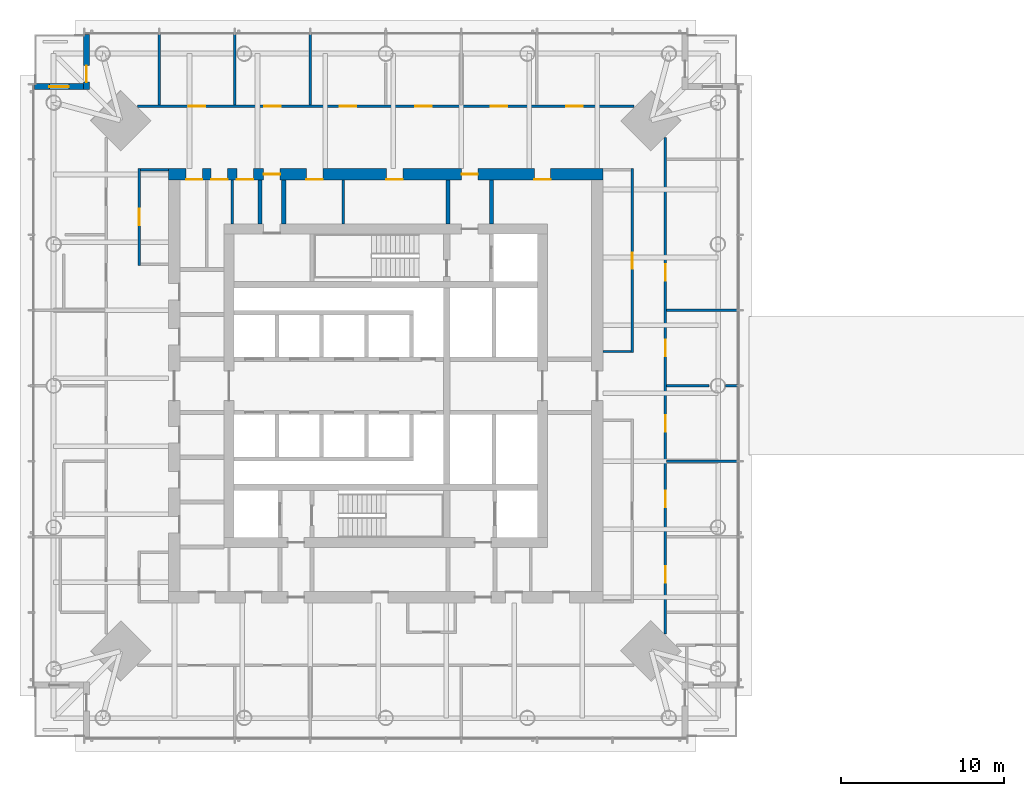
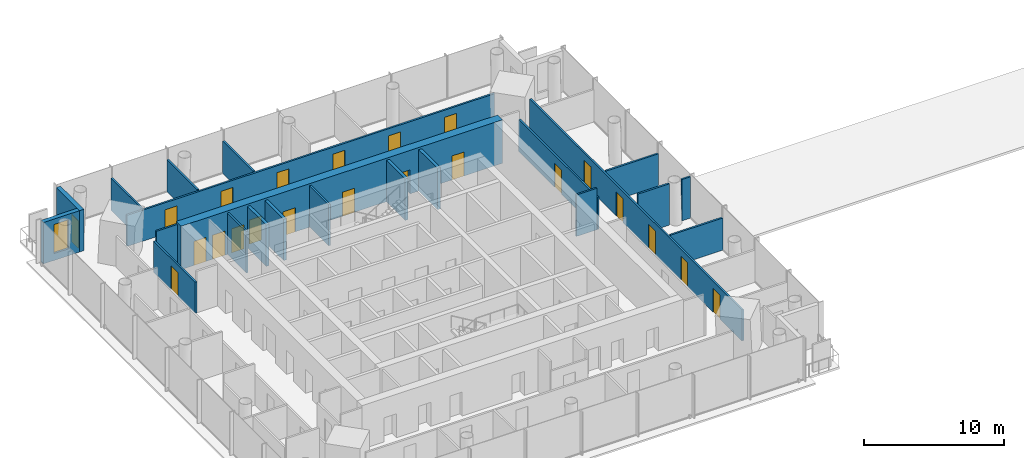
# One storey, part 8 of 16: 22 doors, 22 walls, 1 window, 23 openings.
"""IFC4 building model written with IfcOpenShell, lengths in metres."""

from ifc_helpers import new_model, si_unit, direction, frame, frame_2d, origin, place, context, subcontext, project, spatial, rectangle, extrude, material, layer, layer_set, type_object, element, fill, save


model = new_model("IFC4")

# Units and contexts
model_context = context("Model", 3, precision=1e-05, world=origin(), true_north=direction((0.0, 1.0)))
body_context = subcontext(model_context, "Body", "Model", "MODEL_VIEW")
ifc_project = project(units=[si_unit("LENGTHUNIT", "METRE"), si_unit("AREAUNIT", "SQUARE_METRE"), si_unit("VOLUMEUNIT", "CUBIC_METRE"), si_unit("PLANEANGLEUNIT", "RADIAN"), si_unit("MASSUNIT", "GRAM", prefix="KILO")], contexts=[model_context])

# Site, building, storey
site_placement = place(None, origin())
site = spatial("IfcSite", under=ifc_project, at=site_placement, CompositionType="ELEMENT")
building_placement = place(site_placement, origin())
building = spatial("IfcBuilding", under=site, at=building_placement, Name="Ostroluk Exchange", CompositionType="ELEMENT")
storey_placement = place(building_placement, frame((0.0, 0.0, 135.0)))
storey = spatial("IfcBuildingStorey", under=building, at=storey_placement, Name="L34", CompositionType="ELEMENT", Elevation=135.0)

# Walls
ifc_material_1 = material(Name="Concrete blockwork", Category="masonry")
ifc_layer_1 = layer(ifc_material_1, 0.14990234375)
ifc_layer_set_1 = layer_set([ifc_layer_1], Name="Blockwork plant room wall 150")
wall_type_1 = type_object("IfcWallType", Name="Blockwork plant room wall 150", PredefinedType="SOLIDWALL", material=ifc_layer_set_1)
for number, where, z_axis, x_axis, name in (
    (1, (35.599365234375, 55.89990234375, 0.0), (0.0, 0.0, 1.0), (0.0, 1.0, 0.0), "Core room wall"),
    (2, (42.40478515625, 55.89990234375, 0.0), (0.0, 0.0, 1.0), (0.0, 1.0, 0.0), "Core room wall"),
):
    element("IfcWall", number, at=place(storey_placement, frame(where, z_axis=z_axis, x_axis=x_axis)), inside=storey, type_object=wall_type_1, Name=name, PredefinedType="SOLIDWALL", context=body_context, shape_type="SweptSolid", body=[
        extrude(rectangle(XDim=2.7001953125, YDim=0.14990234375, at=frame_2d((1.35009765625, 0.0))), origin(), (0.0, 0.0, 1.0), 3.6201171875),
    ])
ifc_material_2 = material(Name="Concrete blockwork", Category="masonry")
ifc_layer_2 = layer(ifc_material_2, 0.25)
ifc_layer_set_2 = layer_set([ifc_layer_2], Name="Blockwork stair enclosure wall 250")
wall_type_2 = type_object("IfcWallType", Name="Blockwork stair enclosure wall 250", PredefinedType="SOLIDWALL", material=ifc_layer_set_2)
for number, where, z_axis, x_axis, name in (
    (3, (48.804931640625, 55.89990234375, 0.0), (0.0, 0.0, 1.0), (0.0, 1.0, 0.0), "Fire lobby enclosure wall"),
    (4, (51.47509765625, 55.89990234375, 0.0), (0.0, 0.0, 1.0), (0.0, 1.0, 0.0), "Fire lobby enclosure wall"),
    (5, (37.300048828125, 55.89990234375, 0.0), (0.0, 0.0, 1.0), (0.0, 1.0, 0.0), "Core corridor wall"),
    (6, (38.75, 55.89990234375, 0.0), (0.0, 0.0, 1.0), (0.0, 1.0, 0.0), "Core corridor wall"),
):
    element("IfcWall", number, at=place(storey_placement, frame(where, z_axis=z_axis, x_axis=x_axis)), inside=storey, type_object=wall_type_2, Name=name, PredefinedType="SOLIDWALL", context=body_context, shape_type="SweptSolid", body=[
        extrude(rectangle(XDim=2.7001953125, YDim=0.25, at=frame_2d((1.35009765625, 0.0))), origin(), (0.0, 0.0, 1.0), 3.6201171875),
    ])

# Wall, openings, doors
ifc_material_3 = material(Name="Concrete C50/60", Category="concrete")
ifc_layer_3 = layer(ifc_material_3, 0.699951171875)
ifc_layer_set_3 = layer_set([ifc_layer_3], Name="Core wall 700 C50/60")
wall_type_3 = type_object("IfcWallType", Name="Core wall 700 C50/60", PredefinedType="SHEAR", material=ifc_layer_set_3)
wall_1_placement = place(storey_placement, frame((31.699951171875, 58.949951171875, 0.0), z_axis=(0.0, 0.0, 1.0), x_axis=(1.0, 0.0, 0.0)))
wall_1 = element("IfcWall", 7, at=wall_1_placement, inside=storey, type_object=wall_type_3, Name="T1 core wall RN", PredefinedType="SHEAR", context=body_context, shape_type="SweptSolid", body=[
    extrude(rectangle(XDim=26.60009765625, YDim=0.699951171875, at=frame_2d((13.300048828125, 0.0))), origin(), (0.0, 0.0, 1.0), 3.800048828125),
])
opening_1_placement = place(wall_1_placement, frame((17.93994140625, 0.0, 0.0)))
opening_1 = element("IfcOpeningElement", 8, at=opening_1_placement, cuts=wall_1, Name="Opening FD60", PredefinedType="OPENING", context=body_context, shape_type="SweptSolid", body=[
    extrude(rectangle(XDim=1.0, YDim=2.10009765625, at=frame_2d((0.5, 1.050048828125))), frame((0.0, 0.35986328125, 0.0), z_axis=(0.0, -1.0, 0.0), x_axis=(1.0, 0.0, 0.0)), (0.0, 0.0, 1.0), 0.719970703125),
])
opening_2_placement = place(wall_1_placement, frame((5.824951171875, 0.0, 0.0)))
opening_2 = element("IfcOpeningElement", 9, at=opening_2_placement, cuts=wall_1, Name="Opening FD60", PredefinedType="OPENING", context=body_context, shape_type="SweptSolid", body=[
    extrude(rectangle(XDim=1.0, YDim=2.10009765625, at=frame_2d((0.5, 1.050048828125))), frame((0.0, 0.35986328125, 0.0), z_axis=(0.0, -1.0, 0.0), x_axis=(1.0, 0.0, 0.0)), (0.0, 0.0, 1.0), 0.719970703125),
])
opening_3_placement = place(wall_1_placement, frame((1.073486328125, 0.0, 0.0)))
opening_3 = element("IfcOpeningElement", 10, at=opening_3_placement, cuts=wall_1, Name="Opening FD60", PredefinedType="OPENING", context=body_context, shape_type="SweptSolid", body=[
    extrude(rectangle(XDim=1.0, YDim=2.10009765625, at=frame_2d((0.5, 1.050048828125))), frame((0.0, 0.35986328125, 0.0), z_axis=(0.0, -1.0, 0.0), x_axis=(1.0, 0.0, 0.0)), (0.0, 0.0, 1.0), 0.719970703125),
])
opening_4_placement = place(wall_1_placement, frame((2.611328125, 0.0, 0.0)))
opening_4 = element("IfcOpeningElement", 11, at=opening_4_placement, cuts=wall_1, Name="Opening FD60", PredefinedType="OPENING", context=body_context, shape_type="SweptSolid", body=[
    extrude(rectangle(XDim=1.0, YDim=2.10009765625, at=frame_2d((0.5, 1.050048828125))), frame((0.0, 0.35986328125, 0.0), z_axis=(0.0, -1.0, 0.0), x_axis=(1.0, 0.0, 0.0)), (0.0, 0.0, 1.0), 0.719970703125),
])
opening_5_placement = place(wall_1_placement, frame((4.18701171875, 0.0, 0.0)))
opening_5 = element("IfcOpeningElement", 12, at=opening_5_placement, cuts=wall_1, Name="Opening FD60", PredefinedType="OPENING", context=body_context, shape_type="SweptSolid", body=[
    extrude(rectangle(XDim=1.0, YDim=2.10009765625, at=frame_2d((0.5, 1.050048828125))), frame((0.0, 0.35986328125, 0.0), z_axis=(0.0, -1.0, 0.0), x_axis=(1.0, 0.0, 0.0)), (0.0, 0.0, 1.0), 0.719970703125),
])
opening_6_placement = place(wall_1_placement, frame((8.43994140625, 0.0, 0.0)))
opening_6 = element("IfcOpeningElement", 13, at=opening_6_placement, cuts=wall_1, Name="Opening FD60", PredefinedType="OPENING", context=body_context, shape_type="SweptSolid", body=[
    extrude(rectangle(XDim=1.0, YDim=2.10009765625, at=frame_2d((0.5, 1.050048828125))), frame((0.0, 0.35986328125, 0.0), z_axis=(0.0, -1.0, 0.0), x_axis=(1.0, 0.0, 0.0)), (0.0, 0.0, 1.0), 0.719970703125),
])
opening_7_placement = place(wall_1_placement, frame((13.34228515625, 0.0, 0.0)))
opening_7 = element("IfcOpeningElement", 14, at=opening_7_placement, cuts=wall_1, Name="Opening FD60", PredefinedType="OPENING", context=body_context, shape_type="SweptSolid", body=[
    extrude(rectangle(XDim=1.0, YDim=2.10009765625, at=frame_2d((0.5, 1.050048828125))), frame((0.0, 0.35986328125, 0.0), z_axis=(0.0, -1.0, 0.0), x_axis=(1.0, 0.0, 0.0)), (0.0, 0.0, 1.0), 0.719970703125),
])
opening_8_placement = place(wall_1_placement, frame((22.39990234375, 0.0, 0.0)))
opening_8 = element("IfcOpeningElement", 15, at=opening_8_placement, cuts=wall_1, Name="Opening FD60", PredefinedType="OPENING", context=body_context, shape_type="SweptSolid", body=[
    extrude(rectangle(XDim=1.0, YDim=2.10009765625, at=frame_2d((0.5, 1.050048828125))), frame((0.0, 0.35986328125, 0.0), z_axis=(0.0, -1.0, 0.0), x_axis=(1.0, 0.0, 0.0)), (0.0, 0.0, 1.0), 0.719970703125),
])
ifc_material_4 = material(Name="Steel", Category="steel")
door_type_1 = type_object("IfcDoorType", Name="Fire door EI 60 1000 x 2100", OperationType="SINGLE_SWING_LEFT", PredefinedType="DOOR", material=ifc_material_4)
door_1_placement = place(opening_1_placement, origin())
door_1 = element("IfcDoor", 16, at=door_1_placement, inside=storey, type_object=door_type_1, Name="Firefighting lobby door", OperationType="SINGLE_SWING_RIGHT", OverallHeight=2.10009765625, OverallWidth=1.0, PredefinedType="DOOR", context=body_context, shape_type="SweptSolid", body=[
    extrude(rectangle(XDim=1.0, YDim=2.10009765625, at=frame_2d((0.5, 1.050048828125))), frame((0.0, 0.02490234375, 0.0), z_axis=(0.0, -1.0, 0.0), x_axis=(1.0, 0.0, 0.0)), (0.0, 0.0, 1.0), 0.050048828125),
])
fill(opening_1, door_1)
door_2_placement = place(opening_2_placement, origin())
door_2 = element("IfcDoor", 17, at=door_2_placement, inside=storey, type_object=door_type_1, Name="Core corridor door", OperationType="SINGLE_SWING_LEFT", OverallHeight=2.10009765625, OverallWidth=1.0, PredefinedType="DOOR", context=body_context, shape_type="SweptSolid", body=[
    extrude(rectangle(XDim=1.0, YDim=2.10009765625, at=frame_2d((0.5, 1.050048828125))), frame((0.0, 0.02490234375, 0.0), z_axis=(0.0, -1.0, 0.0), x_axis=(1.0, 0.0, 0.0)), (0.0, 0.0, 1.0), 0.050048828125),
])
fill(opening_2, door_2)
door_3_placement = place(opening_3_placement, origin())
door_3 = element("IfcDoor", 18, at=door_3_placement, inside=storey, type_object=door_type_1, Name="Tenant IT room door", OperationType="SINGLE_SWING_LEFT", OverallHeight=2.10009765625, OverallWidth=1.0, PredefinedType="DOOR", context=body_context, shape_type="SweptSolid", body=[
    extrude(rectangle(XDim=1.0, YDim=2.10009765625, at=frame_2d((0.5, 1.050048828125))), frame((0.0, -0.2900390625, 0.0), z_axis=(0.0, -1.0, 0.0), x_axis=(1.0, 0.0, 0.0)), (0.0, 0.0, 1.0), 0.050048828125),
])
fill(opening_3, door_3)
door_4_placement = place(opening_4_placement, origin())
door_4 = element("IfcDoor", 19, at=door_4_placement, inside=storey, type_object=door_type_1, Name="First aid room door", OperationType="SINGLE_SWING_LEFT", OverallHeight=2.10009765625, OverallWidth=1.0, PredefinedType="DOOR", context=body_context, shape_type="SweptSolid", body=[
    extrude(rectangle(XDim=1.0, YDim=2.10009765625, at=frame_2d((0.5, 1.050048828125))), frame((0.0, -0.2900390625, 0.0), z_axis=(0.0, -1.0, 0.0), x_axis=(1.0, 0.0, 0.0)), (0.0, 0.0, 1.0), 0.050048828125),
])
fill(opening_4, door_4)
door_5_placement = place(opening_5_placement, origin())
door_5 = element("IfcDoor", 20, at=door_5_placement, inside=storey, type_object=door_type_1, Name="Store door", OperationType="SINGLE_SWING_LEFT", OverallHeight=2.10009765625, OverallWidth=1.0, PredefinedType="DOOR", context=body_context, shape_type="SweptSolid", body=[
    extrude(rectangle(XDim=1.0, YDim=2.10009765625, at=frame_2d((0.5, 1.050048828125))), frame((0.0, -0.2900390625, 0.0), z_axis=(0.0, -1.0, 0.0), x_axis=(1.0, 0.0, 0.0)), (0.0, 0.0, 1.0), 0.050048828125),
])
fill(opening_5, door_5)
door_6_placement = place(opening_6_placement, origin())
door_6 = element("IfcDoor", 21, at=door_6_placement, inside=storey, type_object=door_type_1, Name="Print and post room door", OperationType="SINGLE_SWING_LEFT", OverallHeight=2.10009765625, OverallWidth=1.0, PredefinedType="DOOR", context=body_context, shape_type="SweptSolid", body=[
    extrude(rectangle(XDim=1.0, YDim=2.10009765625, at=frame_2d((0.5, 1.050048828125))), frame((0.0, -0.2900390625, 0.0), z_axis=(0.0, -1.0, 0.0), x_axis=(1.0, 0.0, 0.0)), (0.0, 0.0, 1.0), 0.050048828125),
])
fill(opening_6, door_6)
door_7_placement = place(opening_7_placement, origin())
door_7 = element("IfcDoor", 22, at=door_7_placement, inside=storey, type_object=door_type_1, Name="Archive door", OperationType="SINGLE_SWING_RIGHT", OverallHeight=2.10009765625, OverallWidth=1.0, PredefinedType="DOOR", context=body_context, shape_type="SweptSolid", body=[
    extrude(rectangle(XDim=1.0, YDim=2.10009765625, at=frame_2d((0.5, 1.050048828125))), frame((0.0, -0.2900390625, 0.0), z_axis=(0.0, -1.0, 0.0), x_axis=(1.0, 0.0, 0.0)), (0.0, 0.0, 1.0), 0.050048828125),
])
fill(opening_7, door_7)
door_8_placement = place(opening_8_placement, origin())
door_8 = element("IfcDoor", 23, at=door_8_placement, inside=storey, type_object=door_type_1, Name="First aid room door", OperationType="SINGLE_SWING_RIGHT", OverallHeight=2.10009765625, OverallWidth=1.0, PredefinedType="DOOR", context=body_context, shape_type="SweptSolid", body=[
    extrude(rectangle(XDim=1.0, YDim=2.10009765625, at=frame_2d((0.5, 1.050048828125))), frame((0.0, -0.2900390625, 0.0), z_axis=(0.0, -1.0, 0.0), x_axis=(1.0, 0.0, 0.0)), (0.0, 0.0, 1.0), 0.050048828125),
])
fill(opening_8, door_8)

# Wall, opening, door
ifc_material_5 = material(Name="Limestone", Category="masonry")
ifc_layer_4 = layer(ifc_material_5, 0.35009765625)
ifc_layer_set_4 = layer_set([ifc_layer_4], Name="Limestone facade wall 350")
wall_type_4 = type_object("IfcWallType", Name="Limestone facade wall 350", PredefinedType="SOLIDWALL", material=ifc_layer_set_4)
wall_2_placement = place(storey_placement, frame((26.675048828125, 67.5, 0.0), z_axis=(0.0, 0.0, 1.0), x_axis=(0.0, -1.0, 0.0)))
wall_2 = element("IfcWall", 24, at=wall_2_placement, inside=storey, type_object=wall_type_4, Name="Office tower NW corner wall L34 a", PredefinedType="SOLIDWALL", context=body_context, shape_type="SweptSolid", body=[
    extrude(rectangle(XDim=3.35009765625, YDim=0.35009765625, at=frame_2d((1.675048828125, 0.0))), origin(), (0.0, 0.0, 1.0), 3.6201171875),
])
opening_9_placement = place(wall_2_placement, frame((1.89990234375, 0.0, 0.0)))
opening_9 = element("IfcOpeningElement", 25, at=opening_9_placement, cuts=wall_2, Name="Opening D-B1", PredefinedType="OPENING", context=body_context, shape_type="SweptSolid", body=[
    extrude(rectangle(XDim=1.0, YDim=2.39990234375, at=frame_2d((0.5, 1.199951171875))), frame((0.0, 0.18505859375, 0.0), z_axis=(0.0, -1.0, 0.0), x_axis=(1.0, 0.0, 0.0)), (0.0, 0.0, 1.0), 0.3701171875),
])
ifc_material_6 = material(Name="Bronze framed glazed door", Category="aluminium")
door_type_2 = type_object("IfcDoorType", Name="Balcony door 1000 x 2400", OperationType="SINGLE_SWING_LEFT", PredefinedType="DOOR", material=ifc_material_6)
door_9_placement = place(opening_9_placement, origin())
door_9 = element("IfcDoor", 26, at=door_9_placement, inside=storey, type_object=door_type_2, Name="Office tower NW balcony door L34", OperationType="SINGLE_SWING_RIGHT", OverallHeight=2.39990234375, OverallWidth=1.0, PredefinedType="DOOR", context=body_context, shape_type="SweptSolid", body=[
    extrude(rectangle(XDim=1.0, YDim=2.39990234375, at=frame_2d((0.5, 1.199951171875))), frame((0.0, 0.02490234375, 0.0), z_axis=(0.0, -1.0, 0.0), x_axis=(1.0, 0.0, 0.0)), (0.0, 0.0, 1.0), 0.050048828125),
])
fill(opening_9, door_9)

# Wall, opening, window
wall_3_placement = place(storey_placement, frame((26.5, 64.324951171875, 0.0), z_axis=(0.0, 0.0, 1.0), x_axis=(-1.0, 0.0, 0.0)))
wall_3 = element("IfcWall", 27, at=wall_3_placement, inside=storey, type_object=wall_type_4, Name="Office tower NW corner wall L34 b", PredefinedType="SOLIDWALL", context=body_context, shape_type="SweptSolid", body=[
    extrude(rectangle(XDim=3.0, YDim=0.35009765625, at=frame_2d((1.5, 0.0))), origin(), (0.0, 0.0, 1.0), 3.6201171875),
])
opening_10_placement = place(wall_3_placement, frame((0.89990234375, 0.0, 0.60009765625)))
opening_10 = element("IfcOpeningElement", 28, at=opening_10_placement, cuts=wall_3, Name="Opening WN-L1", PredefinedType="OPENING", context=body_context, shape_type="SweptSolid", body=[
    extrude(rectangle(XDim=1.199951171875, YDim=2.550048828125, at=frame_2d((0.60009765625, 1.27490234375))), frame((0.0, 0.18505859375, 0.0), z_axis=(0.0, -1.0, 0.0), x_axis=(1.0, 0.0, 0.0)), (0.0, 0.0, 1.0), 0.3701171875),
])
ifc_material_7 = material(Name="Laminated clear glass", Category="glass")
window_type = type_object("IfcWindowType", Name="Lancet window 1200 x 2550", PartitioningType="SINGLE_PANEL", PredefinedType="WINDOW", material=ifc_material_7)
window_placement = place(opening_10_placement, origin())
window = element("IfcWindow", 29, at=window_placement, inside=storey, type_object=window_type, Name="Office tower NW lancet window L34", OverallHeight=2.550048828125, OverallWidth=1.199951171875, PartitioningType="SINGLE_PANEL", PredefinedType="WINDOW", context=body_context, shape_type="SweptSolid", body=[
    extrude(rectangle(XDim=1.199951171875, YDim=2.550048828125, at=frame_2d((0.60009765625, 1.27490234375))), frame((0.0, 0.030029296875, 0.0), z_axis=(0.0, -1.0, 0.0), x_axis=(1.0, 0.0, 0.0)), (0.0, 0.0, 1.0), 0.06005859375),
])
fill(opening_10, window)

# Wall, opening, door
ifc_material_8 = material(Name="Gypsum plasterboard partition", Category="gypsum")
ifc_layer_5 = layer(ifc_material_8, 0.14990234375)
ifc_layer_set_5 = layer_set([ifc_layer_5], Name="Plasterboard partition 150")
wall_type_5 = type_object("IfcWallType", Name="Plasterboard partition 150", PredefinedType="PARTITIONING", material=ifc_layer_set_5)
wall_4_placement = place(storey_placement, frame((60.10009765625, 48.02490234375, 0.0), z_axis=(0.0, 0.0, 1.0), x_axis=(0.0, 1.0, 0.0)))
wall_4 = element("IfcWall", 30, at=wall_4_placement, inside=storey, type_object=wall_type_5, Name="Partition", PredefinedType="PARTITIONING", context=body_context, shape_type="SweptSolid", body=[
    extrude(rectangle(XDim=11.275146484375, YDim=0.14990234375, at=frame_2d((5.6376953125, 0.0))), origin(), (0.0, 0.0, 1.0), 2.805908203125),
])
opening_11_placement = place(wall_4_placement, frame((5.137451171875, 0.0, 0.0)))
opening_11 = element("IfcOpeningElement", 31, at=opening_11_placement, cuts=wall_4, Name="Opening D-03", PredefinedType="OPENING", context=body_context, shape_type="SweptSolid", body=[
    extrude(rectangle(XDim=1.0, YDim=2.10009765625, at=frame_2d((0.5, 1.050048828125))), frame((0.0, 0.0849609375, 0.0), z_axis=(0.0, -1.0, 0.0), x_axis=(1.0, 0.0, 0.0)), (0.0, 0.0, 1.0), 0.169921875),
])
ifc_material_9 = material(Name="Timber", Category="wood")
door_type_3 = type_object("IfcDoorType", Name="Internal door 1000 x 2100", OperationType="SINGLE_SWING_LEFT", PredefinedType="DOOR", material=ifc_material_9)
door_10_placement = place(opening_11_placement, origin())
door_10 = element("IfcDoor", 32, at=door_10_placement, inside=storey, type_object=door_type_3, Name="Interview room door", OperationType="SINGLE_SWING_RIGHT", OverallHeight=2.10009765625, OverallWidth=1.0, PredefinedType="DOOR", context=body_context, shape_type="SweptSolid", body=[
    extrude(rectangle(XDim=1.0, YDim=2.10009765625, at=frame_2d((0.5, 1.050048828125))), frame((0.0, 0.02490234375, 0.0), z_axis=(0.0, -1.0, 0.0), x_axis=(1.0, 0.0, 0.0)), (0.0, 0.0, 1.0), 0.050048828125),
])
fill(opening_11, door_10)

# Wall
wall_5_placement = place(storey_placement, frame((58.300048828125, 48.10009765625, 0.0), z_axis=(0.0, 0.0, 1.0), x_axis=(1.0, 0.0, 0.0)))
element("IfcWall", 33, at=wall_5_placement, inside=storey, type_object=wall_type_5, Name="Partition", PredefinedType="PARTITIONING", context=body_context, shape_type="SweptSolid", body=[
    extrude(rectangle(XDim=1.724853515625, YDim=0.14990234375, at=frame_2d((0.8623046875, 0.0))), origin(), (0.0, 0.0, 1.0), 3.6201171875),
])

# Wall, opening, door
wall_6_placement = place(storey_placement, frame((29.89990234375, 59.300048828125, 0.0), z_axis=(0.0, 0.0, 1.0), x_axis=(0.0, -1.0, 0.0)))
wall_6 = element("IfcWall", 34, at=wall_6_placement, inside=storey, type_object=wall_type_5, Name="Partition", PredefinedType="PARTITIONING", context=body_context, shape_type="SweptSolid", body=[
    extrude(rectangle(XDim=5.925048828125, YDim=0.14990234375, at=frame_2d((2.96240234375, 0.0))), origin(), (0.0, 0.0, 1.0), 2.719970703125),
])
opening_12_placement = place(wall_6_placement, frame((2.46240234375, 0.0, 0.0)))
opening_12 = element("IfcOpeningElement", 35, at=opening_12_placement, cuts=wall_6, Name="Opening D-03", PredefinedType="OPENING", context=body_context, shape_type="SweptSolid", body=[
    extrude(rectangle(XDim=1.0, YDim=2.10009765625, at=frame_2d((0.5, 1.050048828125))), frame((0.0, 0.0849609375, 0.0), z_axis=(0.0, -1.0, 0.0), x_axis=(1.0, 0.0, 0.0)), (0.0, 0.0, 1.0), 0.169921875),
])
door_11_placement = place(opening_12_placement, origin())
door_11 = element("IfcDoor", 36, at=door_11_placement, inside=storey, type_object=door_type_3, Name="Interview room door", OperationType="SINGLE_SWING_RIGHT", OverallHeight=2.10009765625, OverallWidth=1.0, PredefinedType="DOOR", context=body_context, shape_type="SweptSolid", body=[
    extrude(rectangle(XDim=1.0, YDim=2.10009765625, at=frame_2d((0.5, 1.050048828125))), frame((0.0, 0.02490234375, 0.0), z_axis=(0.0, -1.0, 0.0), x_axis=(1.0, 0.0, 0.0)), (0.0, 0.0, 1.0), 0.050048828125),
])
fill(opening_12, door_11)

# Wall
wall_7_placement = place(storey_placement, frame((31.699951171875, 59.22509765625, 0.0), z_axis=(0.0, 0.0, 1.0), x_axis=(-1.0, 0.0, 0.0)))
element("IfcWall", 37, at=wall_7_placement, inside=storey, type_object=wall_type_5, Name="Partition", PredefinedType="PARTITIONING", context=body_context, shape_type="SweptSolid", body=[
    extrude(rectangle(XDim=1.724853515625, YDim=0.14990234375, at=frame_2d((0.8623046875, 0.0))), origin(), (0.0, 0.0, 1.0), 3.6201171875),
])

# Wall, openings, doors
wall_8_placement = place(storey_placement, frame((62.125, 30.78857421875, 0.0), z_axis=(0.0, 0.0, 1.0), x_axis=(0.0, 1.0, 0.0)))
wall_8 = element("IfcWall", 38, at=wall_8_placement, inside=storey, type_object=wall_type_5, Name="Partition", PredefinedType="PARTITIONING", context=body_context, shape_type="SweptSolid", body=[
    extrude(rectangle(XDim=30.4228515625, YDim=0.14990234375, at=frame_2d((15.21142578125, 0.0))), origin(), (0.0, 0.0, 1.0), 2.719970703125),
])
opening_13_placement = place(wall_8_placement, frame((3.14892578125, 0.0, 0.0)))
opening_13 = element("IfcOpeningElement", 39, at=opening_13_placement, cuts=wall_8, Name="Opening D-03", PredefinedType="OPENING", context=body_context, shape_type="SweptSolid", body=[
    extrude(rectangle(XDim=1.0, YDim=2.10009765625, at=frame_2d((0.5, 1.050048828125))), frame((0.0, 0.0849609375, 0.0), z_axis=(0.0, -1.0, 0.0), x_axis=(1.0, 0.0, 0.0)), (0.0, 0.0, 1.0), 0.169921875),
])
opening_14_placement = place(wall_8_placement, frame((7.77392578125, 0.0, 0.0)))
opening_14 = element("IfcOpeningElement", 40, at=opening_14_placement, cuts=wall_8, Name="Opening D-03", PredefinedType="OPENING", context=body_context, shape_type="SweptSolid", body=[
    extrude(rectangle(XDim=1.0, YDim=2.10009765625, at=frame_2d((0.5, 1.050048828125))), frame((0.0, 0.0849609375, 0.0), z_axis=(0.0, -1.0, 0.0), x_axis=(1.0, 0.0, 0.0)), (0.0, 0.0, 1.0), 0.169921875),
])
opening_15_placement = place(wall_8_placement, frame((12.39892578125, 0.0, 0.0)))
opening_15 = element("IfcOpeningElement", 41, at=opening_15_placement, cuts=wall_8, Name="Opening D-03", PredefinedType="OPENING", context=body_context, shape_type="SweptSolid", body=[
    extrude(rectangle(XDim=1.0, YDim=2.10009765625, at=frame_2d((0.5, 1.050048828125))), frame((0.0, 0.0849609375, 0.0), z_axis=(0.0, -1.0, 0.0), x_axis=(1.0, 0.0, 0.0)), (0.0, 0.0, 1.0), 0.169921875),
])
opening_16_placement = place(wall_8_placement, frame((17.02392578125, 0.0, 0.0)))
opening_16 = element("IfcOpeningElement", 42, at=opening_16_placement, cuts=wall_8, Name="Opening D-03", PredefinedType="OPENING", context=body_context, shape_type="SweptSolid", body=[
    extrude(rectangle(XDim=1.0, YDim=2.10009765625, at=frame_2d((0.5, 1.050048828125))), frame((0.0, 0.0849609375, 0.0), z_axis=(0.0, -1.0, 0.0), x_axis=(1.0, 0.0, 0.0)), (0.0, 0.0, 1.0), 0.169921875),
])
opening_17_placement = place(wall_8_placement, frame((21.64892578125, 0.0, 0.0)))
opening_17 = element("IfcOpeningElement", 43, at=opening_17_placement, cuts=wall_8, Name="Opening D-03", PredefinedType="OPENING", context=body_context, shape_type="SweptSolid", body=[
    extrude(rectangle(XDim=1.0, YDim=2.10009765625, at=frame_2d((0.5, 1.050048828125))), frame((0.0, 0.0849609375, 0.0), z_axis=(0.0, -1.0, 0.0), x_axis=(1.0, 0.0, 0.0)), (0.0, 0.0, 1.0), 0.169921875),
])
door_12_placement = place(opening_13_placement, origin())
door_12 = element("IfcDoor", 44, at=door_12_placement, inside=storey, type_object=door_type_3, Name="Office door", OperationType="SINGLE_SWING_LEFT", OverallHeight=2.10009765625, OverallWidth=1.0, PredefinedType="DOOR", context=body_context, shape_type="SweptSolid", body=[
    extrude(rectangle(XDim=1.0, YDim=2.10009765625, at=frame_2d((0.5, 1.050048828125))), frame((0.0, 0.02490234375, 0.0), z_axis=(0.0, -1.0, 0.0), x_axis=(1.0, 0.0, 0.0)), (0.0, 0.0, 1.0), 0.050048828125),
])
fill(opening_13, door_12)
door_13_placement = place(opening_14_placement, origin())
door_13 = element("IfcDoor", 45, at=door_13_placement, inside=storey, type_object=door_type_3, Name="Meeting room door", OperationType="SINGLE_SWING_LEFT", OverallHeight=2.10009765625, OverallWidth=1.0, PredefinedType="DOOR", context=body_context, shape_type="SweptSolid", body=[
    extrude(rectangle(XDim=1.0, YDim=2.10009765625, at=frame_2d((0.5, 1.050048828125))), frame((0.0, 0.02490234375, 0.0), z_axis=(0.0, -1.0, 0.0), x_axis=(1.0, 0.0, 0.0)), (0.0, 0.0, 1.0), 0.050048828125),
])
fill(opening_14, door_13)
door_14_placement = place(opening_15_placement, origin())
door_14 = element("IfcDoor", 46, at=door_14_placement, inside=storey, type_object=door_type_3, Name="Pantry door", OperationType="SINGLE_SWING_LEFT", OverallHeight=2.10009765625, OverallWidth=1.0, PredefinedType="DOOR", context=body_context, shape_type="SweptSolid", body=[
    extrude(rectangle(XDim=1.0, YDim=2.10009765625, at=frame_2d((0.5, 1.050048828125))), frame((0.0, 0.02490234375, 0.0), z_axis=(0.0, -1.0, 0.0), x_axis=(1.0, 0.0, 0.0)), (0.0, 0.0, 1.0), 0.050048828125),
])
fill(opening_15, door_14)
door_15_placement = place(opening_16_placement, origin())
door_15 = element("IfcDoor", 47, at=door_15_placement, inside=storey, type_object=door_type_3, Name="Meeting room door", OperationType="SINGLE_SWING_RIGHT", OverallHeight=2.10009765625, OverallWidth=1.0, PredefinedType="DOOR", context=body_context, shape_type="SweptSolid", body=[
    extrude(rectangle(XDim=1.0, YDim=2.10009765625, at=frame_2d((0.5, 1.050048828125))), frame((0.0, 0.02490234375, 0.0), z_axis=(0.0, -1.0, 0.0), x_axis=(1.0, 0.0, 0.0)), (0.0, 0.0, 1.0), 0.050048828125),
])
fill(opening_16, door_15)
door_16_placement = place(opening_17_placement, origin())
door_16 = element("IfcDoor", 48, at=door_16_placement, inside=storey, type_object=door_type_3, Name="Office door", OperationType="SINGLE_SWING_RIGHT", OverallHeight=2.10009765625, OverallWidth=1.0, PredefinedType="DOOR", context=body_context, shape_type="SweptSolid", body=[
    extrude(rectangle(XDim=1.0, YDim=2.10009765625, at=frame_2d((0.5, 1.050048828125))), frame((0.0, 0.02490234375, 0.0), z_axis=(0.0, -1.0, 0.0), x_axis=(1.0, 0.0, 0.0)), (0.0, 0.0, 1.0), 0.050048828125),
])
fill(opening_17, door_16)

# Walls
wall_9_placement = place(storey_placement, frame((62.199951171875, 41.375, 0.0), z_axis=(0.0, 0.0, 1.0), x_axis=(1.0, 0.0, 0.0)))
element("IfcWall", 49, at=wall_9_placement, inside=storey, type_object=wall_type_5, Name="Partition", PredefinedType="PARTITIONING", context=body_context, shape_type="SweptSolid", body=[
    extrude(rectangle(XDim=4.340087890625, YDim=0.14990234375, at=frame_2d((2.169921875, 0.0))), origin(), (0.0, 0.0, 1.0), 2.820068359375),
])
wall_10_placement = place(storey_placement, frame((62.199951171875, 46.0, 0.0), z_axis=(0.0, 0.0, 1.0), x_axis=(1.0, 0.0, 0.0)))
element("IfcWall", 50, at=wall_10_placement, inside=storey, type_object=wall_type_5, Name="Partition", PredefinedType="PARTITIONING", context=body_context, shape_type="SweptSolid", body=[
    extrude(rectangle(XDim=2.578857421875, YDim=0.14990234375, at=frame_2d((1.28955078125, 0.0))), origin(), (0.0, 0.0, 1.0), 3.6201171875),
])
wall_11_placement = place(storey_placement, frame((65.814208984375, 46.0, 0.0), z_axis=(0.0, 0.0, 1.0), x_axis=(1.0, 0.0, 0.0)))
element("IfcWall", 51, at=wall_11_placement, inside=storey, type_object=wall_type_5, Name="Partition", PredefinedType="PARTITIONING", context=body_context, shape_type="SweptSolid", body=[
    extrude(rectangle(XDim=0.725830078125, YDim=0.14990234375, at=frame_2d((0.36279296875, 0.0))), origin(), (0.0, 0.0, 1.0), 3.6201171875),
])
wall_12_placement = place(storey_placement, frame((62.199951171875, 50.625, 0.0), z_axis=(0.0, 0.0, 1.0), x_axis=(1.0, 0.0, 0.0)))
element("IfcWall", 52, at=wall_12_placement, inside=storey, type_object=wall_type_5, Name="Partition", PredefinedType="PARTITIONING", context=body_context, shape_type="SweptSolid", body=[
    extrude(rectangle(XDim=4.340087890625, YDim=0.14990234375, at=frame_2d((2.169921875, 0.0))), origin(), (0.0, 0.0, 1.0), 2.820068359375),
])

# Wall, openings, doors
wall_13_placement = place(storey_placement, frame((60.21142578125, 63.125, 0.0), z_axis=(0.0, 0.0, 1.0), x_axis=(-1.0, 0.0, 0.0)))
wall_13 = element("IfcWall", 53, at=wall_13_placement, inside=storey, type_object=wall_type_5, Name="Partition", PredefinedType="PARTITIONING", context=body_context, shape_type="SweptSolid", body=[
    extrude(rectangle(XDim=30.4228515625, YDim=0.14990234375, at=frame_2d((15.21142578125, 0.0))), origin(), (0.0, 0.0, 1.0), 2.719970703125),
])
opening_18_placement = place(wall_13_placement, frame((3.14892578125, 0.0, 0.0)))
opening_18 = element("IfcOpeningElement", 54, at=opening_18_placement, cuts=wall_13, Name="Opening D-03", PredefinedType="OPENING", context=body_context, shape_type="SweptSolid", body=[
    extrude(rectangle(XDim=1.0, YDim=2.10009765625, at=frame_2d((0.5, 1.050048828125))), frame((0.0, 0.0849609375, 0.0), z_axis=(0.0, -1.0, 0.0), x_axis=(1.0, 0.0, 0.0)), (0.0, 0.0, 1.0), 0.169921875),
])
opening_19_placement = place(wall_13_placement, frame((7.77392578125, 0.0, 0.0)))
opening_19 = element("IfcOpeningElement", 55, at=opening_19_placement, cuts=wall_13, Name="Opening D-03", PredefinedType="OPENING", context=body_context, shape_type="SweptSolid", body=[
    extrude(rectangle(XDim=1.0, YDim=2.10009765625, at=frame_2d((0.5, 1.050048828125))), frame((0.0, 0.0849609375, 0.0), z_axis=(0.0, -1.0, 0.0), x_axis=(1.0, 0.0, 0.0)), (0.0, 0.0, 1.0), 0.169921875),
])
opening_20_placement = place(wall_13_placement, frame((12.39892578125, 0.0, 0.0)))
opening_20 = element("IfcOpeningElement", 56, at=opening_20_placement, cuts=wall_13, Name="Opening D-03", PredefinedType="OPENING", context=body_context, shape_type="SweptSolid", body=[
    extrude(rectangle(XDim=1.0, YDim=2.10009765625, at=frame_2d((0.5, 1.050048828125))), frame((0.0, 0.0849609375, 0.0), z_axis=(0.0, -1.0, 0.0), x_axis=(1.0, 0.0, 0.0)), (0.0, 0.0, 1.0), 0.169921875),
])
opening_21_placement = place(wall_13_placement, frame((17.02392578125, 0.0, 0.0)))
opening_21 = element("IfcOpeningElement", 57, at=opening_21_placement, cuts=wall_13, Name="Opening D-03", PredefinedType="OPENING", context=body_context, shape_type="SweptSolid", body=[
    extrude(rectangle(XDim=1.0, YDim=2.10009765625, at=frame_2d((0.5, 1.050048828125))), frame((0.0, 0.0849609375, 0.0), z_axis=(0.0, -1.0, 0.0), x_axis=(1.0, 0.0, 0.0)), (0.0, 0.0, 1.0), 0.169921875),
])
opening_22_placement = place(wall_13_placement, frame((21.64892578125, 0.0, 0.0)))
opening_22 = element("IfcOpeningElement", 58, at=opening_22_placement, cuts=wall_13, Name="Opening D-03", PredefinedType="OPENING", context=body_context, shape_type="SweptSolid", body=[
    extrude(rectangle(XDim=1.0, YDim=2.10009765625, at=frame_2d((0.5, 1.050048828125))), frame((0.0, 0.0849609375, 0.0), z_axis=(0.0, -1.0, 0.0), x_axis=(1.0, 0.0, 0.0)), (0.0, 0.0, 1.0), 0.169921875),
])
opening_23_placement = place(wall_13_placement, frame((26.27392578125, 0.0, 0.0)))
opening_23 = element("IfcOpeningElement", 59, at=opening_23_placement, cuts=wall_13, Name="Opening D-03", PredefinedType="OPENING", context=body_context, shape_type="SweptSolid", body=[
    extrude(rectangle(XDim=1.0, YDim=2.10009765625, at=frame_2d((0.5, 1.050048828125))), frame((0.0, 0.0849609375, 0.0), z_axis=(0.0, -1.0, 0.0), x_axis=(1.0, 0.0, 0.0)), (0.0, 0.0, 1.0), 0.169921875),
])
door_17_placement = place(opening_18_placement, origin())
door_17 = element("IfcDoor", 60, at=door_17_placement, inside=storey, type_object=door_type_3, Name="Office suite door", OperationType="SINGLE_SWING_LEFT", OverallHeight=2.10009765625, OverallWidth=1.0, PredefinedType="DOOR", context=body_context, shape_type="SweptSolid", body=[
    extrude(rectangle(XDim=1.0, YDim=2.10009765625, at=frame_2d((0.5, 1.050048828125))), frame((0.0, 0.02490234375, 0.0), z_axis=(0.0, -1.0, 0.0), x_axis=(1.0, 0.0, 0.0)), (0.0, 0.0, 1.0), 0.050048828125),
])
fill(opening_18, door_17)
door_18_placement = place(opening_19_placement, origin())
door_18 = element("IfcDoor", 61, at=door_18_placement, inside=storey, type_object=door_type_3, Name="Office door", OperationType="SINGLE_SWING_LEFT", OverallHeight=2.10009765625, OverallWidth=1.0, PredefinedType="DOOR", context=body_context, shape_type="SweptSolid", body=[
    extrude(rectangle(XDim=1.0, YDim=2.10009765625, at=frame_2d((0.5, 1.050048828125))), frame((0.0, 0.02490234375, 0.0), z_axis=(0.0, -1.0, 0.0), x_axis=(1.0, 0.0, 0.0)), (0.0, 0.0, 1.0), 0.050048828125),
])
fill(opening_19, door_18)
door_19_placement = place(opening_20_placement, origin())
door_19 = element("IfcDoor", 62, at=door_19_placement, inside=storey, type_object=door_type_3, Name="Office door", OperationType="SINGLE_SWING_LEFT", OverallHeight=2.10009765625, OverallWidth=1.0, PredefinedType="DOOR", context=body_context, shape_type="SweptSolid", body=[
    extrude(rectangle(XDim=1.0, YDim=2.10009765625, at=frame_2d((0.5, 1.050048828125))), frame((0.0, 0.02490234375, 0.0), z_axis=(0.0, -1.0, 0.0), x_axis=(1.0, 0.0, 0.0)), (0.0, 0.0, 1.0), 0.050048828125),
])
fill(opening_20, door_19)
door_20_placement = place(opening_21_placement, origin())
door_20 = element("IfcDoor", 63, at=door_20_placement, inside=storey, type_object=door_type_3, Name="Office door", OperationType="SINGLE_SWING_RIGHT", OverallHeight=2.10009765625, OverallWidth=1.0, PredefinedType="DOOR", context=body_context, shape_type="SweptSolid", body=[
    extrude(rectangle(XDim=1.0, YDim=2.10009765625, at=frame_2d((0.5, 1.050048828125))), frame((0.0, 0.02490234375, 0.0), z_axis=(0.0, -1.0, 0.0), x_axis=(1.0, 0.0, 0.0)), (0.0, 0.0, 1.0), 0.050048828125),
])
fill(opening_21, door_20)
door_21_placement = place(opening_22_placement, origin())
door_21 = element("IfcDoor", 64, at=door_21_placement, inside=storey, type_object=door_type_3, Name="Office door", OperationType="SINGLE_SWING_RIGHT", OverallHeight=2.10009765625, OverallWidth=1.0, PredefinedType="DOOR", context=body_context, shape_type="SweptSolid", body=[
    extrude(rectangle(XDim=1.0, YDim=2.10009765625, at=frame_2d((0.5, 1.050048828125))), frame((0.0, 0.02490234375, 0.0), z_axis=(0.0, -1.0, 0.0), x_axis=(1.0, 0.0, 0.0)), (0.0, 0.0, 1.0), 0.050048828125),
])
fill(opening_22, door_21)
door_22_placement = place(opening_23_placement, origin())
door_22 = element("IfcDoor", 65, at=door_22_placement, inside=storey, type_object=door_type_3, Name="Office door", OperationType="SINGLE_SWING_RIGHT", OverallHeight=2.10009765625, OverallWidth=1.0, PredefinedType="DOOR", context=body_context, shape_type="SweptSolid", body=[
    extrude(rectangle(XDim=1.0, YDim=2.10009765625, at=frame_2d((0.5, 1.050048828125))), frame((0.0, 0.02490234375, 0.0), z_axis=(0.0, -1.0, 0.0), x_axis=(1.0, 0.0, 0.0)), (0.0, 0.0, 1.0), 0.050048828125),
])
fill(opening_23, door_22)

# Walls
for number, where, z_axis, x_axis, name in (
    (66, (40.375, 63.199951171875, 0.0), (0.0, 0.0, 1.0), (0.0, 1.0, 0.0), "Partition"),
    (67, (35.75, 63.199951171875, 0.0), (0.0, 0.0, 1.0), (0.0, 1.0, 0.0), "Partition"),
    (68, (31.125, 63.199951171875, 0.0), (0.0, 0.0, 1.0), (0.0, 1.0, 0.0), "Partition"),
):
    element("IfcWall", number, at=place(storey_placement, frame(where, z_axis=z_axis, x_axis=x_axis)), inside=storey, type_object=wall_type_5, Name=name, PredefinedType="PARTITIONING", context=body_context, shape_type="SweptSolid", body=[
        extrude(rectangle(XDim=4.340087890625, YDim=0.14990234375, at=frame_2d((2.169921875, 0.0))), origin(), (0.0, 0.0, 1.0), 2.820068359375),
    ])

save(model, "model.ifc")
